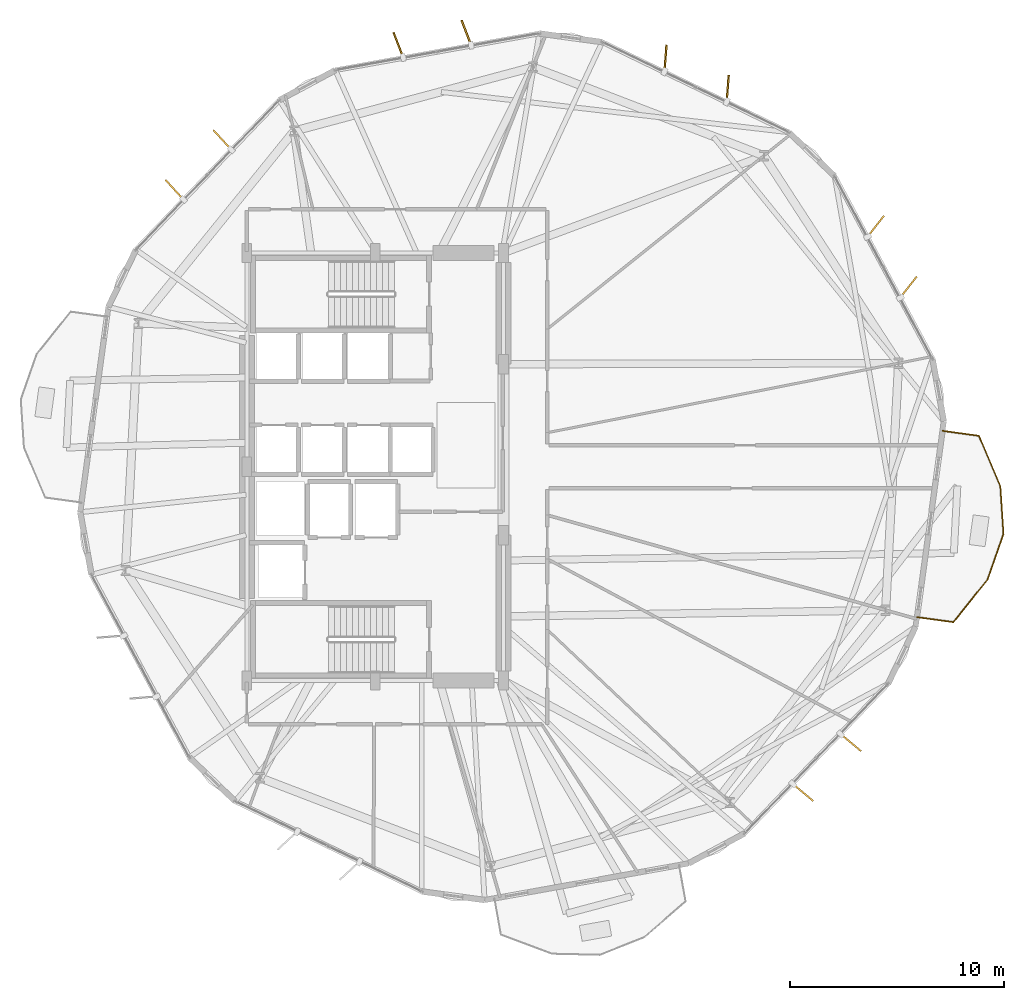
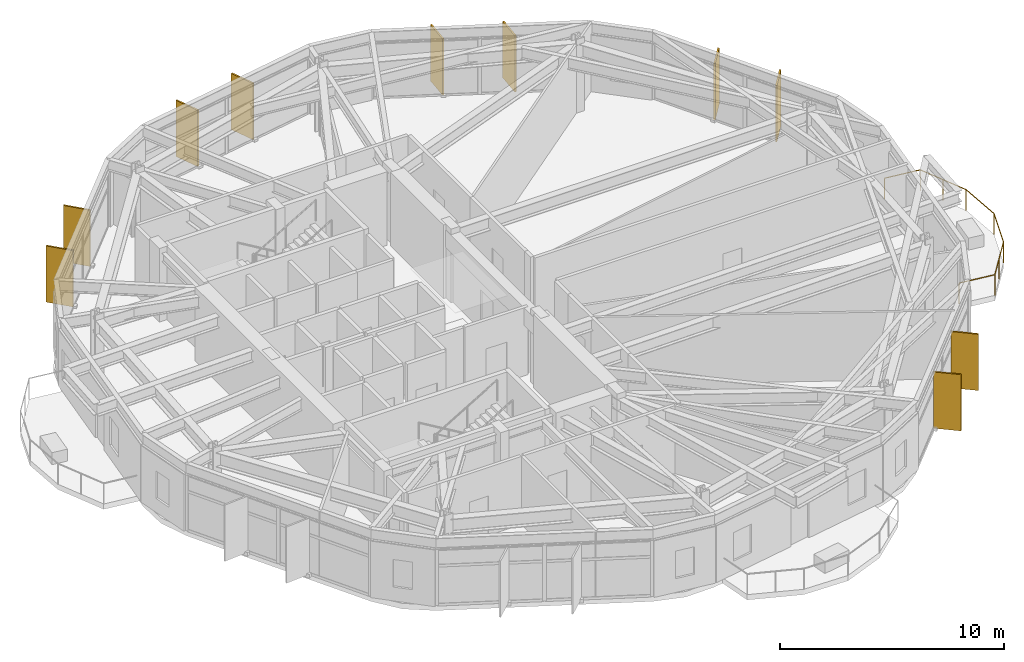
# One storey, part 22 of 22: 10 shading devices, 1 railing.
"""IFC4 building model written with IfcOpenShell, lengths in metres."""

from ifc_helpers import new_model, si_unit, direction, frame, origin, origin_2d, place, context, subcontext, project, spatial, rectangle, circle, extrude, material, layer, layer_set, type_object, element, save


model = new_model("IFC4")

# Units and contexts
model_context = context("Model", 3, precision=1e-05, world=origin(), true_north=direction((0.0, 1.0)))
body_context = subcontext(model_context, "Body", "Model", "MODEL_VIEW")
ifc_project = project(units=[si_unit("LENGTHUNIT", "METRE"), si_unit("AREAUNIT", "SQUARE_METRE"), si_unit("VOLUMEUNIT", "CUBIC_METRE"), si_unit("PLANEANGLEUNIT", "RADIAN"), si_unit("MASSUNIT", "GRAM", prefix="KILO")], contexts=[model_context])

# Site, building, storey
site_placement = place(None, origin())
site = spatial("IfcSite", under=ifc_project, at=site_placement, CompositionType="ELEMENT")
building_placement = place(site_placement, origin())
building = spatial("IfcBuilding", under=site, at=building_placement, Name="Soratama Intermodal Tower", CompositionType="ELEMENT")
storey_placement = place(building_placement, frame((0.0, 0.0, 66.60009765625)))
storey = spatial("IfcBuildingStorey", under=building, at=storey_placement, Name="L15", CompositionType="ELEMENT", Elevation=66.60009765625)

# Railing
ifc_material_1 = material(Name="Laminated glass and stainless steel balustrade", Category="steel")
railing_type = type_object("IfcRailingType", Name="RL-BAL-1150", PredefinedType="BALUSTRADE", material=ifc_material_1)
railing_placement = place(storey_placement, frame((65.13818359375, 26.681396484375, 0.0)))
element("IfcRailing", 1, at=railing_placement, inside=storey, type_object=railing_type, Name="L15 Balcony Balustrade 1", PredefinedType="BALUSTRADE", context=body_context, shape_type="SweptSolid", body=[
    extrude(circle(Radius=0.02392578125, at=origin_2d()), frame((0.0, 0.0, 1.1259765625), z_axis=(0.990750532566, -0.135695918214, 0.0), x_axis=(0.135695918214, 0.990750532566, 0.0)), (0.0, 0.0, 1.0), 1.719970703125),
    extrude(circle(Radius=0.02392578125, at=origin_2d()), frame((1.7041015625, -0.2333984375, 1.1259765625), z_axis=(0.390660037653, -0.920535026483, 0.0), x_axis=(0.920535026483, 0.390660037653, 0.0)), (0.0, 0.0, 1.0), 2.560302734375),
    extrude(circle(Radius=0.02392578125, at=origin_2d()), frame((2.704345703125, -2.59033203125, 1.1259765625), z_axis=(0.065248629317, -0.997869037686, 0.0), x_axis=(0.997869037686, 0.065248629317, 0.0)), (0.0, 0.0, 1.0), 2.2451171875),
    extrude(circle(Radius=0.02392578125, at=origin_2d()), frame((2.850830078125, -4.83056640625, 1.1259765625), z_axis=(-0.331164160543, -0.943573154966, 0.0), x_axis=(0.943573154966, -0.331164160543, 0.0)), (0.0, 0.0, 1.0), 2.244873046875),
    extrude(circle(Radius=0.02392578125, at=origin_2d()), frame((2.107421875, -6.94873046875, 1.1259765625), z_axis=(-0.623845870632, -0.781547394401, 0.0), x_axis=(0.781547394401, -0.623845870632, 0.0)), (0.0, 0.0, 1.0), 2.560546875),
    extrude(circle(Radius=0.02392578125, at=origin_2d()), frame((0.510009765625, -8.949951171875, 1.1259765625), z_axis=(-0.990750532566, 0.135695918214, 0.0), x_axis=(-0.135695918214, -0.990750532566, 0.0)), (0.0, 0.0, 1.0), 1.719970703125),
    extrude(circle(Radius=0.02099609375, at=origin_2d()), origin(), (0.0, 0.0, 1.0), 1.101806640625),
    extrude(circle(Radius=0.02099609375, at=origin_2d()), frame((1.7041015625, -0.2333984375, 0.0)), (0.0, 0.0, 1.0), 1.101806640625),
    extrude(circle(Radius=0.02099609375, at=origin_2d()), frame((2.2041015625, -1.411865234375, 0.0)), (0.0, 0.0, 1.0), 1.101806640625),
    extrude(circle(Radius=0.02099609375, at=origin_2d()), frame((2.704345703125, -2.59033203125, 0.0)), (0.0, 0.0, 1.0), 1.101806640625),
    extrude(circle(Radius=0.02099609375, at=origin_2d()), frame((2.850830078125, -4.83056640625, 0.0)), (0.0, 0.0, 1.0), 1.101806640625),
    extrude(circle(Radius=0.02099609375, at=origin_2d()), frame((2.107421875, -6.94873046875, 0.0)), (0.0, 0.0, 1.0), 1.101806640625),
    extrude(circle(Radius=0.02099609375, at=origin_2d()), frame((1.30859375, -7.94921875, 0.0)), (0.0, 0.0, 1.0), 1.101806640625),
    extrude(circle(Radius=0.02099609375, at=origin_2d()), frame((0.510009765625, -8.949951171875, 0.0)), (0.0, 0.0, 1.0), 1.101806640625),
    extrude(circle(Radius=0.02099609375, at=origin_2d()), frame((-1.194091796875, -8.716552734375, 0.0)), (0.0, 0.0, 1.0), 1.101806640625),
])

# Shading devices
ifc_material_2 = material(Name="Champagne anodised aluminium solar fin", Category="aluminium")
ifc_layer = layer(ifc_material_2, 0.080078125)
ifc_layer_set = layer_set([ifc_layer], Name="Champagne anodised aluminium solar fin")
shading_device_type = type_object("IfcShadingDeviceType", Name="SH-FIN-1250", PredefinedType="USERDEFINED", material=ifc_layer_set)
for number, where, z_axis, x_axis, name in (
    (2, (63.544189453125, 33.403564453125, 0.019775390625), (0.0, 0.0, 1.0), (0.617035875141, 0.786935021961, 0.0), "L15 Solar Fin F01-1"),
    (3, (62.0166015625, 36.25244140625, 0.019775390625), (0.0, 0.0, 1.0), (0.617035875141, 0.786935021961, 0.0), "L15 Solar Fin F01-2"),
    (4, (55.08935546875, 42.697265625, 0.019775390625), (0.0, 0.0, 1.0), (0.077067060513, 0.997025911491, 0.0), "L15 Solar Fin F02-1"),
    (5, (52.1787109375, 44.10400390625, 0.019775390625), (0.0, 0.0, 1.0), (0.077067060513, 0.997025911491, 0.0), "L15 Solar Fin F02-2"),
    (6, (42.86572265625, 45.2998046875, 0.019775390625), (0.0, 0.0, 1.0), (-0.35999680812, 0.932953534825, 0.0), "L15 Solar Fin F03-1"),
    (7, (39.684326171875, 44.7275390625, 0.019775390625), (0.0, 0.0, 1.0), (-0.35999680812, 0.932953534825, 0.0), "L15 Solar Fin F03-2"),
    (8, (31.447509765625, 40.294189453125, 0.019775390625), (0.0, 0.0, 1.0), (-0.6749465546, 0.737866619677, 0.0), "L15 Solar Fin F04-1"),
    (9, (29.210205078125, 37.9609375, 0.019775390625), (0.0, 0.0, 1.0), (-0.6749465546, 0.737866619677, 0.0), "L15 Solar Fin F04-2"),
    (10, (58.61083984375, 9.766845703125, 0.019775390625), (0.0, 0.0, 1.0), (0.765483213493, -0.643455864734, 0.0), "L15 Solar Fin F09-1"),
    (11, (60.848388671875, 12.10009765625, 0.019775390625), (0.0, 0.0, 1.0), (0.765483213493, -0.643455864734, 0.0), "L15 Solar Fin F09-2"),
):
    element("IfcShadingDevice", number, at=place(storey_placement, frame(where, z_axis=z_axis, x_axis=x_axis)), inside=storey, type_object=shading_device_type, Name=name, ObjectType="FIN", PredefinedType="USERDEFINED", context=body_context, shape_type="SweptSolid", body=[
        extrude(rectangle(XDim=1.25, YDim=0.080078125, at=origin_2d()), origin(), (0.0, 0.0, 1.0), 3.05908203125),
    ])

save(model, "model.ifc")
